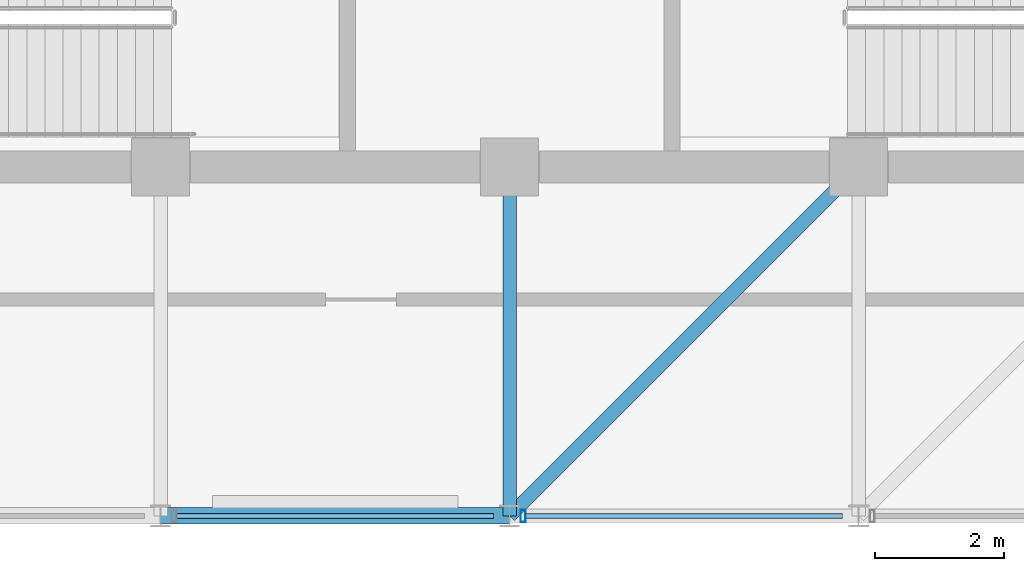
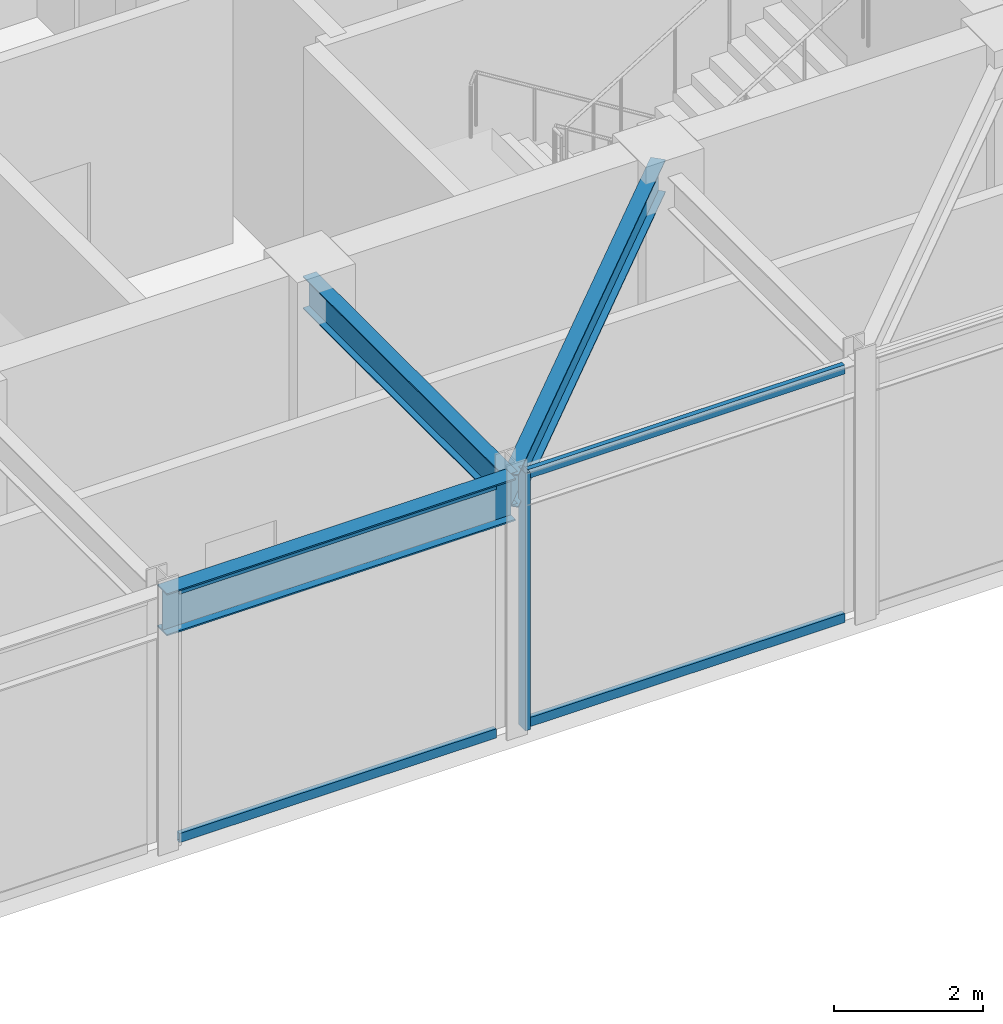
# One storey, part 4 of 18: 5 members, 3 beams, 1 element without a shape of its own.
"""IFC4 building model written with IfcOpenShell, lengths in metres."""

from ifc_helpers import new_model, si_unit, direction, frame, origin, origin_2d, place, context, subcontext, project, spatial, hollow_rectangle, i_section, extrude, material, layer, layer_set, material_profile, profile_set, type_object, element, aggregate, save


model = new_model("IFC4")

# Units and contexts
model_context = context("Model", 3, precision=1e-05, world=origin(), true_north=direction((0.0, 1.0)))
body_context = subcontext(model_context, "Body", "Model", "MODEL_VIEW")
ifc_project = project(units=[si_unit("LENGTHUNIT", "METRE"), si_unit("AREAUNIT", "SQUARE_METRE"), si_unit("VOLUMEUNIT", "CUBIC_METRE"), si_unit("PLANEANGLEUNIT", "RADIAN"), si_unit("MASSUNIT", "GRAM", prefix="KILO")], contexts=[model_context])

# Site, building, storey
site_placement = place(None, origin())
site = spatial("IfcSite", under=ifc_project, at=site_placement, CompositionType="ELEMENT")
building_placement = place(site_placement, origin())
building = spatial("IfcBuilding", under=site, at=building_placement, Name="Surkhivell Harbour Commons", CompositionType="ELEMENT")
storey_placement = place(building_placement, frame((0.0, 0.0, 355.5)))
storey = spatial("IfcBuildingStorey", under=building, at=storey_placement, Name="L92", CompositionType="ELEMENT", Elevation=355.5)

# Beams
ifc_material_1 = material(Name="Steel S355", Category="steel")
ifc_material_profile_1 = material_profile(ifc_material_1, i_section(OverallWidth=0.2099609375, OverallDepth=0.537109375, WebThickness=0.0107421875, FlangeThickness=0.017333984375, at=origin_2d()), Name="UB533x210x101")
ifc_profile_set_1 = profile_set([ifc_material_profile_1], Name="Steel S355")
beam_type_1 = type_object("IfcBeamType", Name="BM-GRD-533B", PredefinedType="BEAM", material=ifc_profile_set_1)
beam_1_placement = place(storey_placement, frame((0.0, -16.199951171875, 3.951416015625), z_axis=(0.0, 1.0, 0.0), x_axis=(-1.0, 0.0, 0.0)))
element("IfcBeam", 1, at=beam_1_placement, inside=storey, type_object=beam_type_1, Name="L92 Floor Girder (0.0,-16.2)", PredefinedType="BEAM", context=body_context, shape_type="SweptSolid", body=[
    extrude(i_section(OverallWidth=0.2099609375, OverallDepth=0.537109375, WebThickness=0.0107421875, FlangeThickness=0.017333984375, at=origin_2d()), origin(), (0.0, 0.0, 1.0), 5.39990234375),
])
beam_2_placement = place(storey_placement, frame((0.0, -16.199951171875, 3.951416015625), z_axis=(0.707106781187, 0.707106781187, 0.0), x_axis=(-0.707106781187, 0.707106781187, 0.0)))
element("IfcBeam", 2, at=beam_2_placement, inside=storey, type_object=beam_type_1, Name="L92 Floor Girder (0.0,-16.2)", PredefinedType="BEAM", context=body_context, shape_type="SweptSolid", body=[
    extrude(i_section(OverallWidth=0.2099609375, OverallDepth=0.537109375, WebThickness=0.0107421875, FlangeThickness=0.017333984375, at=origin_2d()), origin(), (0.0, 0.0, 1.0), 7.63671875),
])
ifc_material_profile_2 = material_profile(ifc_material_1, i_section(OverallWidth=0.256103515625, OverallDepth=0.693115234375, WebThickness=0.014404296875, FlangeThickness=0.023681640625, at=origin_2d()), Name="UB686x254x170")
ifc_profile_set_2 = profile_set([ifc_material_profile_2], Name="Steel S355")
beam_type_2 = type_object("IfcBeamType", Name="BM-SPN-686", PredefinedType="SPANDREL", material=ifc_profile_set_2)
beam_3_placement = place(storey_placement, frame((-5.39990234375, -16.199951171875, 3.87353515625), z_axis=(1.0, 0.0, 0.0), x_axis=(0.0, 1.0, 0.0)))
element("IfcBeam", 3, at=beam_3_placement, inside=storey, type_object=beam_type_2, Name="L92 Tube Spandrel (-5.4,-16.2)", PredefinedType="SPANDREL", context=body_context, shape_type="SweptSolid", body=[
    extrude(i_section(OverallWidth=0.256103515625, OverallDepth=0.693115234375, WebThickness=0.014404296875, FlangeThickness=0.023681640625, at=origin_2d()), origin(), (0.0, 0.0, 1.0), 5.39990234375),
])

# Curtain wall, members
ifc_material_2 = material(Name="Anodised pale-metal aluminium and insulated glazing", Category="aluminium")
ifc_layer = layer(ifc_material_2, 0.22998046875)
ifc_layer_set = layer_set([ifc_layer], Name="Anodised pale-metal aluminium and insulated glazing")
curtain_wall_type = type_object("IfcCurtainWallType", Name="CW-SYS-CRN", PredefinedType="NOTDEFINED", material=ifc_layer_set)
curtain_wall_placement = place(storey_placement, origin())
curtain_wall = element("IfcCurtainWall", 4, at=curtain_wall_placement, inside=storey, type_object=curtain_wall_type, Name="L92 Curtain Wall CW-L92-C00", PredefinedType="NOTDEFINED")
ifc_material_3 = material(Name="Anodised pale-metal aluminium alloy 6063-T6", Category="aluminium")
ifc_material_profile_3 = material_profile(ifc_material_3, hollow_rectangle(XDim=0.074951171875, YDim=0.18994140625, WallThickness=0.00390625, at=origin_2d()), Name="ALU-MULL-75x190")
ifc_profile_set_3 = profile_set([ifc_material_profile_3], Name="Anodised pale-metal aluminium alloy 6063-T6")
member_type_1 = type_object("IfcMemberType", Name="CWM-190", PredefinedType="MULLION", material=ifc_profile_set_3)
member_1_placement = place(storey_placement, frame((0.20947265625, -16.199951171875, 0.0), z_axis=(0.0, 0.0, 1.0), x_axis=(1.0, 0.0, 0.0)))
member_1 = element("IfcMember", 5, at=member_1_placement, type_object=member_type_1, Name="CW-CRN mullion 4", PredefinedType="MULLION", context=body_context, shape_type="SweptSolid", body=[
    extrude(hollow_rectangle(XDim=0.074951171875, YDim=0.18994140625, WallThickness=0.00390625, at=origin_2d()), origin(), (0.0, 0.0, 1.0), 4.219970703125),
])
ifc_material_profile_4 = material_profile(ifc_material_3, hollow_rectangle(XDim=0.074951171875, YDim=0.14990234375, WallThickness=0.00341796875, at=origin_2d()), Name="ALU-TRAN-75x150")
ifc_profile_set_4 = profile_set([ifc_material_profile_4], Name="Anodised pale-metal aluminium alloy 6063-T6")
member_type_2 = type_object("IfcMemberType", Name="CWT-150", PredefinedType="USERDEFINED", material=ifc_profile_set_4)
member_2_placement = place(storey_placement, frame((-5.153076171875, -16.199951171875, 0.074951171875), z_axis=(1.0, 0.0, 0.0), x_axis=(0.0, 1.0, 0.0)))
member_2 = element("IfcMember", 6, at=member_2_placement, type_object=member_type_2, Name="CW-CRN transom 3.1", ObjectType="TRANSOM", PredefinedType="USERDEFINED", context=body_context, shape_type="SweptSolid", body=[
    extrude(hollow_rectangle(XDim=0.074951171875, YDim=0.14990234375, WallThickness=0.00341796875, at=origin_2d()), origin(), (0.0, 0.0, 1.0), 4.906005859375),
])
member_3_placement = place(storey_placement, frame((-5.153076171875, -16.199951171875, 4.14501953125), z_axis=(1.0, 0.0, 0.0), x_axis=(0.0, 1.0, 0.0)))
member_3 = element("IfcMember", 7, at=member_3_placement, type_object=member_type_2, Name="CW-CRN transom 3.2", ObjectType="TRANSOM", PredefinedType="USERDEFINED", context=body_context, shape_type="SweptSolid", body=[
    extrude(hollow_rectangle(XDim=0.074951171875, YDim=0.14990234375, WallThickness=0.00341796875, at=origin_2d()), origin(), (0.0, 0.0, 1.0), 4.906005859375),
])
member_4_placement = place(storey_placement, frame((0.2470703125, -16.199951171875, 0.074951171875), z_axis=(1.0, 0.0, 0.0), x_axis=(0.0, 1.0, 0.0)))
member_4 = element("IfcMember", 8, at=member_4_placement, type_object=member_type_2, Name="CW-CRN transom 4.1", ObjectType="TRANSOM", PredefinedType="USERDEFINED", context=body_context, shape_type="SweptSolid", body=[
    extrude(hollow_rectangle(XDim=0.074951171875, YDim=0.14990234375, WallThickness=0.00341796875, at=origin_2d()), origin(), (0.0, 0.0, 1.0), 4.906005859375),
])
member_5_placement = place(storey_placement, frame((0.2470703125, -16.199951171875, 4.14501953125), z_axis=(1.0, 0.0, 0.0), x_axis=(0.0, 1.0, 0.0)))
member_5 = element("IfcMember", 9, at=member_5_placement, type_object=member_type_2, Name="CW-CRN transom 4.2", ObjectType="TRANSOM", PredefinedType="USERDEFINED", context=body_context, shape_type="SweptSolid", body=[
    extrude(hollow_rectangle(XDim=0.074951171875, YDim=0.14990234375, WallThickness=0.00341796875, at=origin_2d()), origin(), (0.0, 0.0, 1.0), 4.906005859375),
])
aggregate(curtain_wall, [member_2, member_3, member_1, member_4, member_5])

save(model, "model.ifc")
